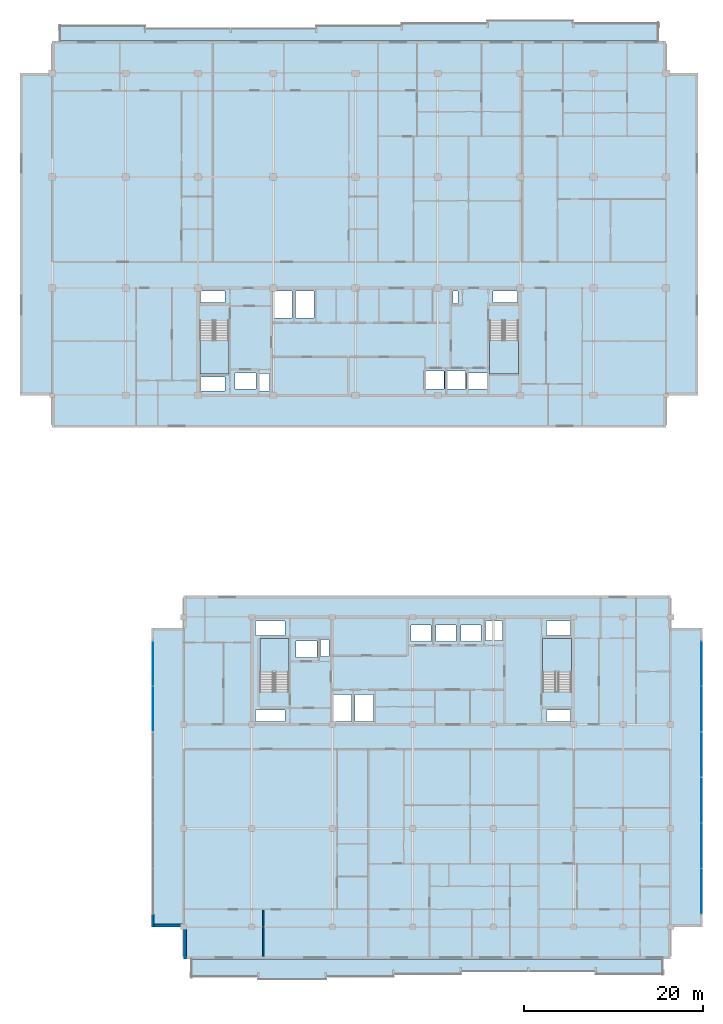
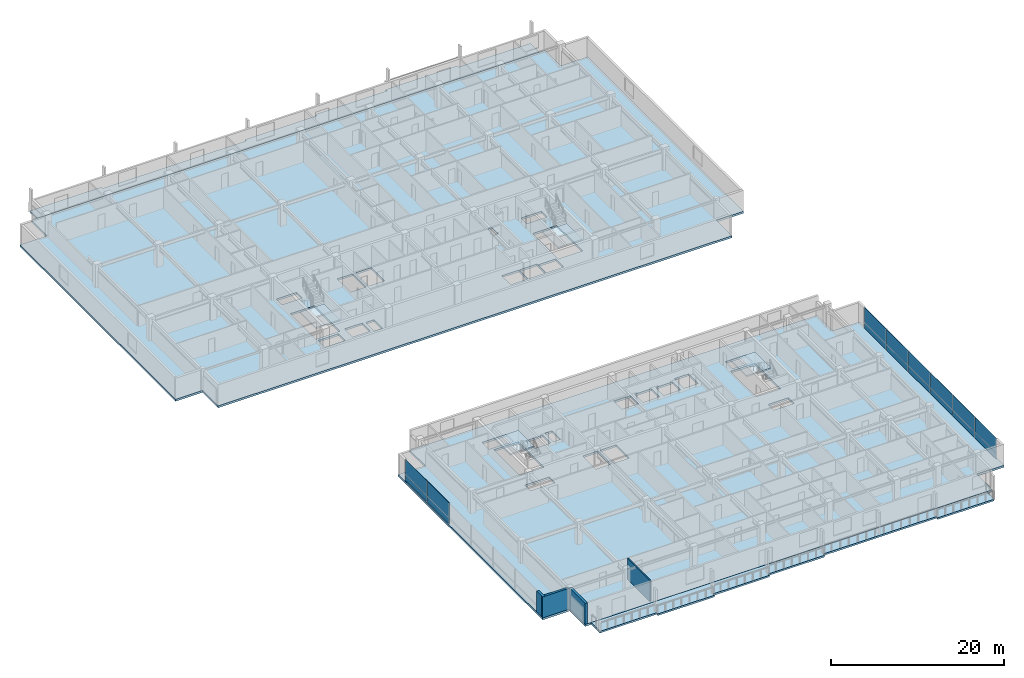
# One storey, part 12 of 30: 16 plates, 8 slabs, 4 walls, 6 elements without a shape of their own.
"""IFC4 building model written with IfcOpenShell, lengths in metres."""

from ifc_helpers import new_model, si_unit, direction, frame, frame_2d, origin, origin_2d, place, context, subcontext, project, spatial, polyline, rectangle, outline, extrude, material, layer, layer_set, type_object, element, aggregate, save


model = new_model("IFC4")

# Units and contexts
model_context = context("Model", 3, precision=1e-05, world=origin(), true_north=direction((0.0, 1.0)))
body_context = subcontext(model_context, "Body", "Model", "MODEL_VIEW")
ifc_project = project(units=[si_unit("LENGTHUNIT", "METRE"), si_unit("AREAUNIT", "SQUARE_METRE"), si_unit("VOLUMEUNIT", "CUBIC_METRE"), si_unit("PLANEANGLEUNIT", "RADIAN"), si_unit("MASSUNIT", "GRAM", prefix="KILO")], contexts=[model_context])

# Site, building, storey
site_placement = place(None, origin())
site = spatial("IfcSite", under=ifc_project, at=site_placement, CompositionType="ELEMENT")
building_placement = place(site_placement, origin())
building = spatial("IfcBuilding", under=site, at=building_placement, Name="Korimba Cascade Residences", CompositionType="ELEMENT")
storey_placement = place(building_placement, frame((0.0, 0.0, 201.10009765625)))
storey = spatial("IfcBuildingStorey", under=building, at=storey_placement, Name="L58", CompositionType="ELEMENT", Elevation=201.10009765625)

# Curtain wall, plates
ifc_material_1 = material(Name="Anodised Aluminium Curtain Wall Framing", Category="aluminium")
ifc_layer_1 = layer(ifc_material_1, 0.179931640625)
ifc_layer_set_1 = layer_set([ifc_layer_1], Name="Anodised Aluminium Curtain Wall Framing")
curtain_wall_type = type_object("IfcCurtainWallType", Name="CW-SKY-SYS2", PredefinedType="NOTDEFINED", material=ifc_layer_set_1)
curtain_wall_1_placement = place(storey_placement, origin())
curtain_wall_1 = element("IfcCurtainWall", 1, at=curtain_wall_1_placement, inside=storey, type_object=curtain_wall_type, Name="L58 Curtain Wall CW-L58-T2-E3", PredefinedType="NOTDEFINED")
ifc_material_2 = material(Name="Insulated Stone-Tone Spandrel Panel", Category="masonry")
ifc_layer_2 = layer(ifc_material_2, 0.0400390625)
ifc_layer_set_2 = layer_set([ifc_layer_2], Name="Insulated Stone-Tone Spandrel Panel")
plate_type_1 = type_object("IfcPlateType", Name="CWP-SPN-40", PredefinedType="USERDEFINED", material=ifc_layer_set_2)
plate_1_placement = place(storey_placement, frame((132.35009765625, -0.22998046875, 0.0), z_axis=(0.0, 0.0, 1.0), x_axis=(0.0, 1.0, 0.0)))
plate_1 = element("IfcPlate", 2, at=plate_1_placement, type_object=plate_type_1, Name="CW-L58-T2-E3 Spandrel Panel 1", ObjectType="SPANDREL", PredefinedType="USERDEFINED", context=body_context, shape_type="SweptSolid", body=[
    extrude(rectangle(XDim=5.010009765625, YDim=0.0400390625, at=origin_2d()), origin(), (0.0, 0.0, 1.0), 0.83154296875),
])
plate_2_placement = place(storey_placement, frame((132.35009765625, 4.85009765625, 0.0), z_axis=(0.0, 0.0, 1.0), x_axis=(0.0, 1.0, 0.0)))
plate_2 = element("IfcPlate", 3, at=plate_2_placement, type_object=plate_type_1, Name="CW-L58-T2-E3 Spandrel Panel 2", ObjectType="SPANDREL", PredefinedType="USERDEFINED", context=body_context, shape_type="SweptSolid", body=[
    extrude(rectangle(XDim=5.050048828125, YDim=0.0400390625, at=origin_2d()), origin(), (0.0, 0.0, 1.0), 0.83154296875),
])
plate_3_placement = place(storey_placement, frame((132.35009765625, 9.949951171875, 0.0), z_axis=(0.0, 0.0, 1.0), x_axis=(0.0, 1.0, 0.0)))
plate_3 = element("IfcPlate", 4, at=plate_3_placement, type_object=plate_type_1, Name="CW-L58-T2-E3 Spandrel Panel 3", ObjectType="SPANDREL", PredefinedType="USERDEFINED", context=body_context, shape_type="SweptSolid", body=[
    extrude(rectangle(XDim=5.050048828125, YDim=0.0400390625, at=origin_2d()), origin(), (0.0, 0.0, 1.0), 0.83154296875),
])
plate_4_placement = place(storey_placement, frame((132.35009765625, 15.050048828125, 0.0), z_axis=(0.0, 0.0, 1.0), x_axis=(0.0, 1.0, 0.0)))
plate_4 = element("IfcPlate", 5, at=plate_4_placement, type_object=plate_type_1, Name="CW-L58-T2-E3 Spandrel Panel 4", ObjectType="SPANDREL", PredefinedType="USERDEFINED", context=body_context, shape_type="SweptSolid", body=[
    extrude(rectangle(XDim=5.050048828125, YDim=0.0400390625, at=origin_2d()), origin(), (0.0, 0.0, 1.0), 0.83154296875),
])
plate_5_placement = place(storey_placement, frame((132.35009765625, 20.14990234375, 0.0), z_axis=(0.0, 0.0, 1.0), x_axis=(0.0, 1.0, 0.0)))
plate_5 = element("IfcPlate", 6, at=plate_5_placement, type_object=plate_type_1, Name="CW-L58-T2-E3 Spandrel Panel 5", ObjectType="SPANDREL", PredefinedType="USERDEFINED", context=body_context, shape_type="SweptSolid", body=[
    extrude(rectangle(XDim=5.050048828125, YDim=0.0400390625, at=origin_2d()), origin(), (0.0, 0.0, 1.0), 0.83154296875),
])
plate_6_placement = place(storey_placement, frame((132.35009765625, 25.22998046875, 0.0), z_axis=(0.0, 0.0, 1.0), x_axis=(0.0, 1.0, 0.0)))
plate_6 = element("IfcPlate", 7, at=plate_6_placement, type_object=plate_type_1, Name="CW-L58-T2-E3 Spandrel Panel 6", ObjectType="SPANDREL", PredefinedType="USERDEFINED", context=body_context, shape_type="SweptSolid", body=[
    extrude(rectangle(XDim=5.010009765625, YDim=0.0400390625, at=origin_2d()), origin(), (0.0, 0.0, 1.0), 0.83154296875),
])

curtain_wall_2_placement = place(storey_placement, origin())
curtain_wall_2 = element("IfcCurtainWall", 8, at=curtain_wall_2_placement, inside=storey, type_object=curtain_wall_type, Name="L58 Curtain Wall CW-L58-T2-E9", PredefinedType="NOTDEFINED")
plate_7_placement = place(storey_placement, frame((71.050048828125, 25.22998046875, 0.0), z_axis=(0.0, 0.0, 1.0), x_axis=(0.0, -1.0, 0.0)))
plate_7 = element("IfcPlate", 9, at=plate_7_placement, type_object=plate_type_1, Name="CW-L58-T2-E9 Spandrel Panel 1", ObjectType="SPANDREL", PredefinedType="USERDEFINED", context=body_context, shape_type="SweptSolid", body=[
    extrude(rectangle(XDim=5.010009765625, YDim=0.0400390625, at=origin_2d()), origin(), (0.0, 0.0, 1.0), 0.83154296875),
])
plate_8_placement = place(storey_placement, frame((71.050048828125, 20.14990234375, 0.0), z_axis=(0.0, 0.0, 1.0), x_axis=(0.0, -1.0, 0.0)))
plate_8 = element("IfcPlate", 10, at=plate_8_placement, type_object=plate_type_1, Name="CW-L58-T2-E9 Spandrel Panel 2", ObjectType="SPANDREL", PredefinedType="USERDEFINED", context=body_context, shape_type="SweptSolid", body=[
    extrude(rectangle(XDim=5.050048828125, YDim=0.0400390625, at=origin_2d()), origin(), (0.0, 0.0, 1.0), 0.83154296875),
])

# Plate
ifc_material_3 = material(Name="Low-E Double Glazing Unit", Category="glass")
ifc_layer_3 = layer(ifc_material_3, 0.028076171875)
ifc_layer_set_3 = layer_set([ifc_layer_3], Name="Low-E Double Glazing Unit")
plate_type_2 = type_object("IfcPlateType", Name="CWP-VIS-28", PredefinedType="CURTAIN_PANEL", material=ifc_layer_set_3)
plate_9_placement = place(storey_placement, frame((132.35009765625, -0.22998046875, 0.83154296875), z_axis=(0.0, 0.0, 1.0), x_axis=(0.0, 1.0, 0.0)))
plate_9 = element("IfcPlate", 11, at=plate_9_placement, type_object=plate_type_2, Name="CW-L58-T2-E3 Vision Glass Panel 1", PredefinedType="CURTAIN_PANEL", context=body_context, shape_type="SweptSolid", body=[
    extrude(rectangle(XDim=5.010009765625, YDim=0.028076171875, at=origin_2d()), origin(), (0.0, 0.0, 1.0), 2.138427734375),
])

plate_10_placement = place(storey_placement, frame((132.35009765625, 4.85009765625, 0.83154296875), z_axis=(0.0, 0.0, 1.0), x_axis=(0.0, 1.0, 0.0)))
plate_10 = element("IfcPlate", 12, at=plate_10_placement, type_object=plate_type_2, Name="CW-L58-T2-E3 Vision Glass Panel 2", PredefinedType="CURTAIN_PANEL", context=body_context, shape_type="SweptSolid", body=[
    extrude(rectangle(XDim=5.050048828125, YDim=0.028076171875, at=origin_2d()), origin(), (0.0, 0.0, 1.0), 2.138427734375),
])

plate_11_placement = place(storey_placement, frame((132.35009765625, 9.949951171875, 0.83154296875), z_axis=(0.0, 0.0, 1.0), x_axis=(0.0, 1.0, 0.0)))
plate_11 = element("IfcPlate", 13, at=plate_11_placement, type_object=plate_type_2, Name="CW-L58-T2-E3 Vision Glass Panel 3", PredefinedType="CURTAIN_PANEL", context=body_context, shape_type="SweptSolid", body=[
    extrude(rectangle(XDim=5.050048828125, YDim=0.028076171875, at=origin_2d()), origin(), (0.0, 0.0, 1.0), 2.138427734375),
])

plate_12_placement = place(storey_placement, frame((132.35009765625, 15.050048828125, 0.83154296875), z_axis=(0.0, 0.0, 1.0), x_axis=(0.0, 1.0, 0.0)))
plate_12 = element("IfcPlate", 14, at=plate_12_placement, type_object=plate_type_2, Name="CW-L58-T2-E3 Vision Glass Panel 4", PredefinedType="CURTAIN_PANEL", context=body_context, shape_type="SweptSolid", body=[
    extrude(rectangle(XDim=5.050048828125, YDim=0.028076171875, at=origin_2d()), origin(), (0.0, 0.0, 1.0), 2.138427734375),
])

plate_13_placement = place(storey_placement, frame((132.35009765625, 20.14990234375, 0.83154296875), z_axis=(0.0, 0.0, 1.0), x_axis=(0.0, 1.0, 0.0)))
plate_13 = element("IfcPlate", 15, at=plate_13_placement, type_object=plate_type_2, Name="CW-L58-T2-E3 Vision Glass Panel 5", PredefinedType="CURTAIN_PANEL", context=body_context, shape_type="SweptSolid", body=[
    extrude(rectangle(XDim=5.050048828125, YDim=0.028076171875, at=origin_2d()), origin(), (0.0, 0.0, 1.0), 2.138427734375),
])

plate_14_placement = place(storey_placement, frame((132.35009765625, 25.22998046875, 0.83154296875), z_axis=(0.0, 0.0, 1.0), x_axis=(0.0, 1.0, 0.0)))
plate_14 = element("IfcPlate", 16, at=plate_14_placement, type_object=plate_type_2, Name="CW-L58-T2-E3 Vision Glass Panel 6", PredefinedType="CURTAIN_PANEL", context=body_context, shape_type="SweptSolid", body=[
    extrude(rectangle(XDim=5.010009765625, YDim=0.028076171875, at=origin_2d()), origin(), (0.0, 0.0, 1.0), 2.138427734375),
])

aggregate(curtain_wall_1, [plate_1, plate_9, plate_2, plate_10, plate_3, plate_11, plate_4, plate_12, plate_5, plate_13, plate_6, plate_14])

plate_15_placement = place(storey_placement, frame((71.050048828125, 25.22998046875, 0.83154296875), z_axis=(0.0, 0.0, 1.0), x_axis=(0.0, -1.0, 0.0)))
plate_15 = element("IfcPlate", 17, at=plate_15_placement, type_object=plate_type_2, Name="CW-L58-T2-E9 Vision Glass Panel 1", PredefinedType="CURTAIN_PANEL", context=body_context, shape_type="SweptSolid", body=[
    extrude(rectangle(XDim=5.010009765625, YDim=0.028076171875, at=origin_2d()), origin(), (0.0, 0.0, 1.0), 2.138427734375),
])

plate_16_placement = place(storey_placement, frame((71.050048828125, 20.14990234375, 0.83154296875), z_axis=(0.0, 0.0, 1.0), x_axis=(0.0, -1.0, 0.0)))
plate_16 = element("IfcPlate", 18, at=plate_16_placement, type_object=plate_type_2, Name="CW-L58-T2-E9 Vision Glass Panel 2", PredefinedType="CURTAIN_PANEL", context=body_context, shape_type="SweptSolid", body=[
    extrude(rectangle(XDim=5.050048828125, YDim=0.028076171875, at=origin_2d()), origin(), (0.0, 0.0, 1.0), 2.138427734375),
])

aggregate(curtain_wall_2, [plate_7, plate_15, plate_8, plate_16])

# Stair, slab
ifc_material_4 = material(Name="Concrete C50/60", Category="concrete")
stair_type_1 = type_object("IfcStairType", Name="STR-W1-18R-1806", PredefinedType="HALF_TURN_STAIR", material=ifc_material_4)
stair_1_placement = place(storey_placement, origin())
stair_1 = element("IfcStair", 19, at=stair_1_placement, inside=storey, type_object=stair_type_1, Name="L58 Tower 1 West Fire Stair ST-W1", PredefinedType="HALF_TURN_STAIR")
ifc_layer_4 = layer(ifc_material_4, 0.199951171875)
ifc_layer_set_4 = layer_set([ifc_layer_4], Name="Concrete C50/60")
slab_type_1 = type_object("IfcSlabType", Name="SLB-LND-220", PredefinedType="LANDING", material=ifc_layer_set_4)
slab_1_placement = place(storey_placement, frame((0.0, 0.0, 1.4248046875)))
slab_1 = element("IfcSlab", 20, at=slab_1_placement, type_object=slab_type_1, Name="ST-W1 landing 1", PredefinedType="LANDING", context=body_context, shape_type="SweptSolid", body=[
    extrude(outline(polyline([(76.300048828125, 61.31005859375), (76.300048828125, 57.60009765625), (79.5400390625, 57.60009765625), (79.5400390625, 61.31005859375), (76.300048828125, 61.31005859375)])), origin(), (0.0, 0.0, 1.0), 0.2001953125),
])
aggregate(stair_1, [slab_1])

stair_type_2 = type_object("IfcStairType", Name="STR-W2-18R-1806", PredefinedType="HALF_TURN_STAIR", material=ifc_material_4)
stair_2_placement = place(storey_placement, origin())
stair_2 = element("IfcStair", 21, at=stair_2_placement, inside=storey, type_object=stair_type_2, Name="L58 Tower 1 East Fire Stair ST-W2", PredefinedType="HALF_TURN_STAIR")
slab_2_placement = place(storey_placement, frame((0.0, 0.0, 1.4248046875)))
slab_2 = element("IfcSlab", 22, at=slab_2_placement, type_object=slab_type_1, Name="ST-W2 landing 1", PredefinedType="LANDING", context=body_context, shape_type="SweptSolid", body=[
    extrude(outline(polyline([(108.659912109375, 61.31005859375), (108.659912109375, 57.60009765625), (111.89990234375, 57.60009765625), (111.89990234375, 61.31005859375), (108.659912109375, 61.31005859375)])), origin(), (0.0, 0.0, 1.0), 0.2001953125),
])
aggregate(stair_2, [slab_2])

stair_type_3 = type_object("IfcStairType", Name="STR-E1-18R-1806", PredefinedType="HALF_TURN_STAIR", material=ifc_material_4)
stair_3_placement = place(storey_placement, origin())
stair_3 = element("IfcStair", 23, at=stair_3_placement, inside=storey, type_object=stair_type_3, Name="L58 Tower 2 West Fire Stair ST-E1", PredefinedType="HALF_TURN_STAIR")
slab_3_placement = place(storey_placement, frame((0.0, 0.0, 1.4248046875)))
slab_3 = element("IfcSlab", 24, at=slab_3_placement, type_object=slab_type_1, Name="ST-E1 landing 1", PredefinedType="LANDING", context=body_context, shape_type="SweptSolid", body=[
    extrude(outline(polyline([(86.239990234375, 24.2900390625), (86.239990234375, 28.0), (83.0, 28.0), (83.0, 24.2900390625), (86.239990234375, 24.2900390625)])), origin(), (0.0, 0.0, 1.0), 0.2001953125),
])
aggregate(stair_3, [slab_3])

stair_type_4 = type_object("IfcStairType", Name="STR-E2-18R-1806", PredefinedType="HALF_TURN_STAIR", material=ifc_material_4)
stair_4_placement = place(storey_placement, origin())
stair_4 = element("IfcStair", 25, at=stair_4_placement, inside=storey, type_object=stair_type_4, Name="L58 Tower 2 East Fire Stair ST-E2", PredefinedType="HALF_TURN_STAIR")
slab_4_placement = place(storey_placement, frame((0.0, 0.0, 1.4248046875)))
slab_4 = element("IfcSlab", 26, at=slab_4_placement, type_object=slab_type_1, Name="ST-E2 landing 1", PredefinedType="LANDING", context=body_context, shape_type="SweptSolid", body=[
    extrude(outline(polyline([(117.840087890625, 24.2900390625), (117.840087890625, 28.0), (114.60009765625, 28.0), (114.60009765625, 24.2900390625), (117.840087890625, 24.2900390625)])), origin(), (0.0, 0.0, 1.0), 0.2001953125),
])
aggregate(stair_4, [slab_4])

# Slabs
ifc_material_5 = material(Name="Precast concrete C40/50", Category="concrete")
ifc_layer_5 = layer(ifc_material_5, 0.239990234375)
ifc_layer_set_5 = layer_set([ifc_layer_5], Name="Precast concrete C40/50")
slab_type_2 = type_object("IfcSlabType", Name="SLB-LOG-240", PredefinedType="FLOOR", material=ifc_layer_set_5)
slab_5_placement = place(storey_placement, frame((0.0, 0.0, -0.239990234375)))
element("IfcSlab", 27, at=slab_5_placement, inside=storey, type_object=slab_type_2, Name="L58 Tower 1 North Loggia Slab", PredefinedType="FLOOR", context=body_context, shape_type="SweptSolid", body=[
    extrude(outline(polyline([(60.60009765625, 94.800048828125), (127.60009765625, 94.800048828125), (127.60009765625, 96.85009765625), (118.028564453125, 96.85009765625), (118.028564453125, 97.14990234375), (108.45703125, 97.14990234375), (108.45703125, 96.85009765625), (98.8857421875, 96.85009765625), (98.8857421875, 96.550048828125), (89.314208984375, 96.550048828125), (89.314208984375, 96.25), (70.17138671875, 96.25), (70.17138671875, 96.550048828125), (60.60009765625, 96.550048828125), (60.60009765625, 94.800048828125)])), origin(), (0.0, 0.0, 1.0), 0.239990234375),
])
slab_6_placement = place(storey_placement, frame((0.0, 0.0, -0.239990234375)))
element("IfcSlab", 28, at=slab_6_placement, inside=storey, type_object=slab_type_2, Name="L58 Tower 2 South Loggia Slab", PredefinedType="FLOOR", context=body_context, shape_type="SweptSolid", body=[
    extrude(outline(polyline([(75.300048828125, -9.85009765625), (82.843017578125, -9.85009765625), (82.843017578125, -10.14990234375), (90.3857421875, -10.14990234375), (90.3857421875, -9.85009765625), (97.9287109375, -9.85009765625), (97.9287109375, -9.550048828125), (105.471435546875, -9.550048828125), (105.471435546875, -9.25), (120.55712890625, -9.25), (120.55712890625, -9.550048828125), (128.10009765625, -9.550048828125), (128.10009765625, -7.800048828125), (75.300048828125, -7.800048828125), (75.300048828125, -9.85009765625)])), origin(), (0.0, 0.0, 1.0), 0.239990234375),
])
ifc_layer_6 = layer(ifc_material_4, 0.280029296875)
ifc_layer_set_6 = layer_set([ifc_layer_6], Name="Concrete C50/60")
slab_type_3 = type_object("IfcSlabType", Name="SLB-TYP-280", PredefinedType="FLOOR", material=ifc_layer_set_6)
slab_7_placement = place(storey_placement, frame((0.0, 0.0, -0.280029296875)))
element("IfcSlab", 29, at=slab_7_placement, inside=storey, type_object=slab_type_3, Name="L58 Tower 1 Floor Slab", PredefinedType="FLOOR", context=body_context, shape_type="SweptSolid", body=[
    extrude(outline(polyline([(59.800048828125, 51.60009765625), (128.39990234375, 51.60009765625), (128.39990234375, 55.199951171875), (132.0, 55.199951171875), (132.0, 91.199951171875), (128.39990234375, 91.199951171875), (128.39990234375, 94.800048828125), (59.800048828125, 94.800048828125), (59.800048828125, 91.199951171875), (56.199951171875, 91.199951171875), (56.199951171875, 55.199951171875), (59.800048828125, 55.199951171875), (59.800048828125, 51.60009765625)]), holes=[polyline([(76.300048828125, 63.514892578125), (76.300048828125, 57.60009765625), (79.5400390625, 57.60009765625), (79.5400390625, 63.514892578125), (76.300048828125, 63.514892578125)]), polyline([(108.659912109375, 63.514892578125), (108.659912109375, 57.60009765625), (111.89990234375, 57.60009765625), (111.89990234375, 63.514892578125), (108.659912109375, 63.514892578125)]), polyline([(80.22998046875, 55.8798828125), (82.570068359375, 55.8798828125), (82.570068359375, 57.719970703125), (80.22998046875, 57.719970703125), (80.22998046875, 55.8798828125)]), polyline([(106.080078125, 55.8798828125), (108.419921875, 55.8798828125), (108.419921875, 57.719970703125), (106.080078125, 57.719970703125), (106.080078125, 55.8798828125)]), polyline([(101.304931640625, 55.8798828125), (103.594970703125, 55.8798828125), (103.594970703125, 57.919921875), (101.304931640625, 57.919921875), (101.304931640625, 55.8798828125)]), polyline([(103.705078125, 55.8798828125), (105.9951171875, 55.8798828125), (105.9951171875, 57.919921875), (103.705078125, 57.919921875), (103.705078125, 55.8798828125)]), polyline([(82.97998046875, 55.679931640625), (84.080078125, 55.679931640625), (84.080078125, 57.6201171875), (82.97998046875, 57.6201171875), (82.97998046875, 55.679931640625)]), polyline([(76.39990234375, 65.56005859375), (79.10009765625, 65.56005859375), (79.10009765625, 66.8798828125), (76.39990234375, 66.8798828125), (76.39990234375, 65.56005859375)]), polyline([(76.39990234375, 55.679931640625), (79.10009765625, 55.679931640625), (79.10009765625, 57.239990234375), (76.39990234375, 57.239990234375), (76.39990234375, 55.679931640625)]), polyline([(84.530029296875, 63.820068359375), (86.6201171875, 63.820068359375), (86.6201171875, 66.8798828125), (84.530029296875, 66.8798828125), (84.530029296875, 63.820068359375)]), polyline([(86.97998046875, 63.820068359375), (89.070068359375, 63.820068359375), (89.070068359375, 66.8798828125), (86.97998046875, 66.8798828125), (86.97998046875, 63.820068359375)]), polyline([(104.6201171875, 65.4599609375), (105.179931640625, 65.4599609375), (105.179931640625, 66.8798828125), (104.6201171875, 66.8798828125), (104.6201171875, 65.4599609375)]), polyline([(109.080078125, 65.56005859375), (111.800048828125, 65.56005859375), (111.800048828125, 66.8798828125), (109.080078125, 66.8798828125), (109.080078125, 65.56005859375)])]), origin(), (0.0, 0.0, 1.0), 0.280029296875),
])
slab_8_placement = place(storey_placement, frame((0.0, 0.0, -0.280029296875)))
element("IfcSlab", 30, at=slab_8_placement, inside=storey, type_object=slab_type_3, Name="L58 Tower 2 Floor Slab", PredefinedType="FLOOR", context=body_context, shape_type="SweptSolid", body=[
    extrude(outline(polyline([(74.5, -7.800048828125), (128.89990234375, -7.800048828125), (128.89990234375, -4.199951171875), (132.5, -4.199951171875), (132.5, 29.199951171875), (128.89990234375, 29.199951171875), (128.89990234375, 32.800048828125), (74.5, 32.800048828125), (74.5, 29.199951171875), (70.89990234375, 29.199951171875), (70.89990234375, -4.199951171875), (74.5, -4.199951171875), (74.5, -7.800048828125)]), holes=[polyline([(86.239990234375, 22.0849609375), (86.239990234375, 28.0), (83.0, 28.0), (83.0, 22.0849609375), (86.239990234375, 22.0849609375)]), polyline([(117.840087890625, 22.0849609375), (117.840087890625, 28.0), (114.60009765625, 28.0), (114.60009765625, 22.0849609375), (117.840087890625, 22.0849609375)]), polyline([(87.030029296875, 25.8798828125), (89.3701171875, 25.8798828125), (89.3701171875, 27.719970703125), (87.030029296875, 27.719970703125), (87.030029296875, 25.8798828125)]), polyline([(99.8798828125, 27.679931640625), (102.1201171875, 27.679931640625), (102.1201171875, 29.52001953125), (99.8798828125, 29.52001953125), (99.8798828125, 27.679931640625)]), polyline([(102.679931640625, 27.679931640625), (104.919921875, 27.679931640625), (104.919921875, 29.52001953125), (102.679931640625, 29.52001953125), (102.679931640625, 27.679931640625)]), polyline([(105.47998046875, 27.679931640625), (107.719970703125, 27.679931640625), (107.719970703125, 29.52001953125), (105.47998046875, 29.52001953125), (105.47998046875, 27.679931640625)]), polyline([(89.780029296875, 25.97998046875), (90.719970703125, 25.97998046875), (90.719970703125, 27.919921875), (89.780029296875, 27.919921875), (89.780029296875, 25.97998046875)]), polyline([(82.530029296875, 18.72998046875), (85.800048828125, 18.72998046875), (85.800048828125, 20.0400390625), (82.530029296875, 20.0400390625), (82.530029296875, 18.72998046875)]), polyline([(82.530029296875, 28.360107421875), (85.800048828125, 28.360107421875), (85.800048828125, 29.969970703125), (82.530029296875, 29.969970703125), (82.530029296875, 28.360107421875)]), polyline([(108.22998046875, 27.780029296875), (110.1201171875, 27.780029296875), (110.1201171875, 29.969970703125), (108.22998046875, 29.969970703125), (108.22998046875, 27.780029296875)]), polyline([(91.22998046875, 18.72998046875), (93.27001953125, 18.72998046875), (93.27001953125, 21.780029296875), (91.22998046875, 21.780029296875), (91.22998046875, 18.72998046875)]), polyline([(93.6298828125, 18.72998046875), (95.719970703125, 18.72998046875), (95.719970703125, 21.780029296875), (93.6298828125, 21.780029296875), (93.6298828125, 18.72998046875)]), polyline([(115.02001953125, 18.72998046875), (117.739990234375, 18.72998046875), (117.739990234375, 20.0400390625), (115.02001953125, 20.0400390625), (115.02001953125, 18.72998046875)]), polyline([(115.02001953125, 28.360107421875), (117.739990234375, 28.360107421875), (117.739990234375, 29.969970703125), (115.02001953125, 29.969970703125), (115.02001953125, 28.360107421875)])]), origin(), (0.0, 0.0, 1.0), 0.280029296875),
])

# Walls
ifc_layer_7 = layer(ifc_material_5, 0.300048828125)
ifc_layer_set_7 = layer_set([ifc_layer_7], Name="Precast concrete C40/50")
wall_type_1 = type_object("IfcWallType", Name="EW-STONE-300", PredefinedType="STANDARD", material=ifc_layer_set_7)
wall_1_placement = place(storey_placement, frame((71.050048828125, -2.800048828125, 0.0), z_axis=(0.0, 0.0, 1.0), x_axis=(0.0, -1.0, 0.0)))
element("IfcWall", 31, at=wall_1_placement, inside=storey, type_object=wall_type_1, Name="L58 T2 Sky Pier 9B", PredefinedType="STANDARD", context=body_context, shape_type="SweptSolid", body=[
    extrude(rectangle(XDim=1.39990234375, YDim=0.300048828125, at=frame_2d((0.699951171875, 0.0))), origin(), (0.0, 0.0, 1.0), 2.969970703125),
])
for number, where, z_axis, x_axis, name in (
    (32, (70.89990234375, -4.050048828125, 0.0), (0.0, 0.0, 1.0), (1.0, 0.0, 0.0), "L58 T2 Perimeter Stone Wall E10"),
    (33, (74.64990234375, -4.199951171875, 0.0), (0.0, 0.0, 1.0), (0.0, -1.0, 0.0), "L58 T2 Perimeter Stone Wall E11"),
):
    element("IfcWall", number, at=place(storey_placement, frame(where, z_axis=z_axis, x_axis=x_axis)), inside=storey, type_object=wall_type_1, Name=name, PredefinedType="STANDARD", context=body_context, shape_type="SweptSolid", body=[
        extrude(rectangle(XDim=3.60009765625, YDim=0.300048828125, at=frame_2d((1.800048828125, 0.0))), origin(), (0.0, 0.0, 1.0), 2.969970703125),
    ])
ifc_material_6 = material(Name="Insulated Acoustic Stud Partition", Category="gypsum")
ifc_layer_8 = layer(ifc_material_6, 0.14990234375)
ifc_layer_set_8 = layer_set([ifc_layer_8], Name="Insulated Acoustic Stud Partition")
wall_type_2 = type_object("IfcWallType", Name="WAL-PART-150", PredefinedType="PARTITIONING", material=ifc_layer_set_8)
wall_2_placement = place(storey_placement, frame((83.38818359375, -7.5, 0.0), z_axis=(0.0, 0.0, 1.0), x_axis=(0.0, 1.0, 0.0)))
element("IfcWall", 34, at=wall_2_placement, inside=storey, type_object=wall_type_2, Name="L58 Partition Wall WAL-L58-T2-U01-OUTV", PredefinedType="PARTITIONING", context=body_context, shape_type="SweptSolid", body=[
    extrude(rectangle(XDim=5.169921875, YDim=0.14990234375, at=frame_2d((2.5849609375, 0.0))), origin(), (0.0, 0.0, 1.0), 2.969970703125),
])

save(model, "model.ifc")
